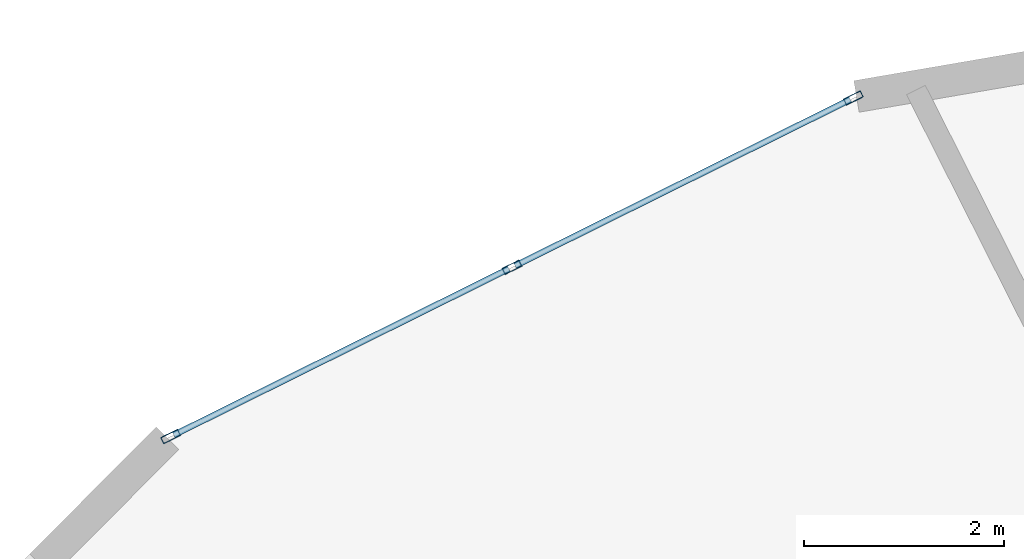
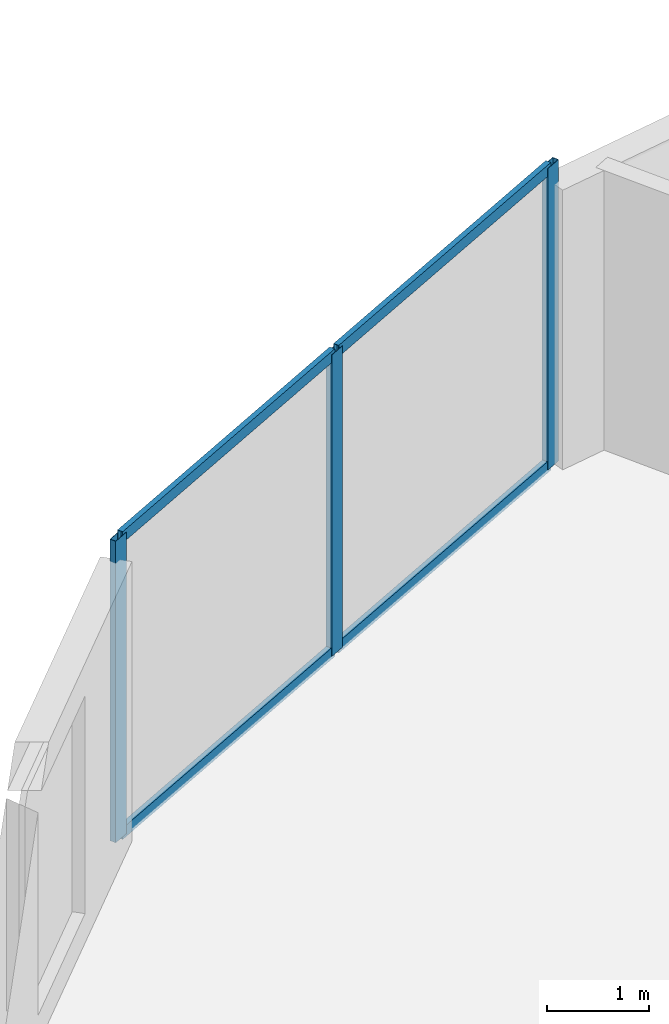
# One storey, part 12 of 22: 7 members, 1 element without a shape of its own.
"""IFC4 building model written with IfcOpenShell, lengths in metres."""

from ifc_helpers import new_model, si_unit, direction, frame, origin, origin_2d, place, context, subcontext, project, spatial, hollow_rectangle, extrude, source, transform, mapped, material, layer, layer_set, material_profile, profile_set, type_object, element, aggregate, save


model = new_model("IFC4")

# Units and contexts
model_context = context("Model", 3, precision=1e-05, world=origin(), true_north=direction((0.0, 1.0)))
body_context = subcontext(model_context, "Body", "Model", "MODEL_VIEW")
ifc_project = project(units=[si_unit("LENGTHUNIT", "METRE"), si_unit("AREAUNIT", "SQUARE_METRE"), si_unit("VOLUMEUNIT", "CUBIC_METRE"), si_unit("PLANEANGLEUNIT", "RADIAN"), si_unit("MASSUNIT", "GRAM", prefix="KILO")], contexts=[model_context])

# Site, building, storey
site_placement = place(None, origin())
site = spatial("IfcSite", under=ifc_project, at=site_placement, CompositionType="ELEMENT")
building_placement = place(site_placement, origin())
building = spatial("IfcBuilding", under=site, at=building_placement, Name="Solvirekh Grand Hotel", CompositionType="ELEMENT")
storey_placement = place(building_placement, frame((0.0, 0.0, 53.60009765625)))
storey = spatial("IfcBuildingStorey", under=building, at=storey_placement, Name="L12", CompositionType="ELEMENT", Elevation=53.60009765625)

# Curtain wall, members
ifc_material = material(Name="Anodized Bronze Aluminium 6063-T6", Category="aluminium")
ifc_layer = layer(ifc_material, 0.18994140625)
ifc_layer_set = layer_set([ifc_layer], Name="Anodized Bronze Aluminium 6063-T6")
curtain_wall_type = type_object("IfcCurtainWallType", Name="CW_Sys2_LowZoneFlushBronzeCW", PredefinedType="NOTDEFINED", material=ifc_layer_set)
curtain_wall_placement = place(storey_placement, origin())
curtain_wall = element("IfcCurtainWall", 1, at=curtain_wall_placement, inside=storey, type_object=curtain_wall_type, Name="L12 unitised bronze-glass curtain wall CW-L12-C08", PredefinedType="NOTDEFINED")
ifc_material_profile_1 = material_profile(ifc_material, hollow_rectangle(XDim=0.06005859375, YDim=0.135009765625, WallThickness=0.00390625, at=origin_2d()), Name="ALU RHS 135X60X4")
ifc_profile_set_1 = profile_set([ifc_material_profile_1], Name="Anodized Bronze Aluminium 6063-T6")
member_type_1 = type_object("IfcMemberType", Name="CWTransom_Sys2", PredefinedType="USERDEFINED", material=ifc_profile_set_1)
shared_shape_1 = source(origin(), body_context, "Body", "SweptSolid", [
    extrude(hollow_rectangle(XDim=0.06005859375, YDim=0.135009765625, WallThickness=0.00390625, at=origin_2d()), origin(), (0.0, 0.0, 1.0), 3.74755859375),
])
member_1_placement = place(storey_placement, frame((-12.74560546875, 20.8408203125, 0.02978515625), z_axis=(-0.895907619223, -0.444240405431, 0.0), x_axis=(0.444240405431, -0.895907619223, 0.0)))
member_1 = element("IfcMember", 2, at=member_1_placement, type_object=member_type_1, Name="U02 transom 1.1", ObjectType="TRANSOM", PredefinedType="USERDEFINED", context=body_context, shape_type="MappedRepresentation", body=[
    mapped(shared_shape_1, transform((0.0, 0.0, 0.0), x_axis=(1.0, 0.0, 0.0), y_axis=(0.0, 1.0, 0.0), z_axis=(0.0, 0.0, 1.0), scale=1.0)),
])
member_2_placement = place(storey_placement, frame((-12.74560546875, 20.8408203125, 3.56982421875), z_axis=(-0.895907619223, -0.444240405431, 0.0), x_axis=(0.444240405431, -0.895907619223, 0.0)))
member_2 = element("IfcMember", 3, at=member_2_placement, type_object=member_type_1, Name="U02 transom 1.2", ObjectType="TRANSOM", PredefinedType="USERDEFINED", context=body_context, shape_type="MappedRepresentation", body=[
    mapped(shared_shape_1, transform((0.0, 0.0, 0.0), x_axis=(1.0, 0.0, 0.0), y_axis=(0.0, 1.0, 0.0), z_axis=(0.0, 0.0, 1.0), scale=1.0)),
])
member_3_placement = place(storey_placement, frame((-16.165771484375, 19.14501953125, 0.02978515625), z_axis=(-0.895881689873, -0.444292693785, 0.0), x_axis=(0.444292693785, -0.895881689873, 0.0)))
member_3 = element("IfcMember", 4, at=member_3_placement, type_object=member_type_1, Name="U02 transom 2.1", ObjectType="TRANSOM", PredefinedType="USERDEFINED", context=body_context, shape_type="MappedRepresentation", body=[
    mapped(shared_shape_1, transform((0.0, 0.0, 0.0), x_axis=(1.0, 0.0, 0.0), y_axis=(0.0, 1.0, 0.0), z_axis=(0.0, 0.0, 1.0), scale=1.0)),
])
member_4_placement = place(storey_placement, frame((-16.165771484375, 19.14501953125, 3.56982421875), z_axis=(-0.895881689873, -0.444292693785, 0.0), x_axis=(0.444292693785, -0.895881689873, 0.0)))
member_4 = element("IfcMember", 5, at=member_4_placement, type_object=member_type_1, Name="U02 transom 2.2", ObjectType="TRANSOM", PredefinedType="USERDEFINED", context=body_context, shape_type="MappedRepresentation", body=[
    mapped(shared_shape_1, transform((0.0, 0.0, 0.0), x_axis=(1.0, 0.0, 0.0), y_axis=(0.0, 1.0, 0.0), z_axis=(0.0, 0.0, 1.0), scale=1.0)),
])
ifc_material_profile_2 = material_profile(ifc_material, hollow_rectangle(XDim=0.070068359375, YDim=0.18994140625, WallThickness=0.0048828125, at=origin_2d()), Name="ALU RHS 190X70X5")
ifc_profile_set_2 = profile_set([ifc_material_profile_2], Name="Anodized Bronze Aluminium 6063-T6")
member_type_2 = type_object("IfcMemberType", Name="CWMullion_Sys2", PredefinedType="MULLION", material=ifc_profile_set_2)
shared_shape_2 = source(origin(), body_context, "Body", "SweptSolid", [
    extrude(hollow_rectangle(XDim=0.070068359375, YDim=0.18994140625, WallThickness=0.0048828125, at=origin_2d()), origin(), (0.0, 0.0, 1.0), 3.599853515625),
])
member_5_placement = place(storey_placement, frame((-12.71435546875, 20.8564453125, 0.0), z_axis=(0.0, 0.0, 1.0), x_axis=(0.444252063325, -0.895901838502, 0.0)))
member_5 = element("IfcMember", 6, at=member_5_placement, type_object=member_type_2, Name="U02 mullion 1", PredefinedType="MULLION", context=body_context, shape_type="MappedRepresentation", body=[
    mapped(shared_shape_2, transform((0.0, 0.0, 0.0), x_axis=(1.0, 0.0, 0.0), y_axis=(0.0, 1.0, 0.0), z_axis=(0.0, 0.0, 1.0), scale=1.0)),
])
member_6_placement = place(storey_placement, frame((-16.134521484375, 19.160400390625, 0.0), z_axis=(0.0, 0.0, 1.0), x_axis=(0.444252063325, -0.895901838502, 0.0)))
member_6 = element("IfcMember", 7, at=member_6_placement, type_object=member_type_2, Name="U02 mullion 2", PredefinedType="MULLION", context=body_context, shape_type="MappedRepresentation", body=[
    mapped(shared_shape_2, transform((0.0, 0.0, 0.0), x_axis=(1.0, 0.0, 0.0), y_axis=(0.0, 1.0, 0.0), z_axis=(0.0, 0.0, 1.0), scale=1.0)),
])
member_7_placement = place(storey_placement, frame((-19.5546875, 17.464599609375, 0.0), z_axis=(0.0, 0.0, 1.0), x_axis=(0.444252063325, -0.895901838502, 0.0)))
member_7 = element("IfcMember", 8, at=member_7_placement, type_object=member_type_2, Name="U02 mullion 3", PredefinedType="MULLION", context=body_context, shape_type="MappedRepresentation", body=[
    mapped(shared_shape_2, transform((0.0, 0.0, 0.0), x_axis=(1.0, 0.0, 0.0), y_axis=(0.0, 1.0, 0.0), z_axis=(0.0, 0.0, 1.0), scale=1.0)),
])
aggregate(curtain_wall, [member_5, member_6, member_7, member_1, member_2, member_3, member_4])

save(model, "model.ifc")
